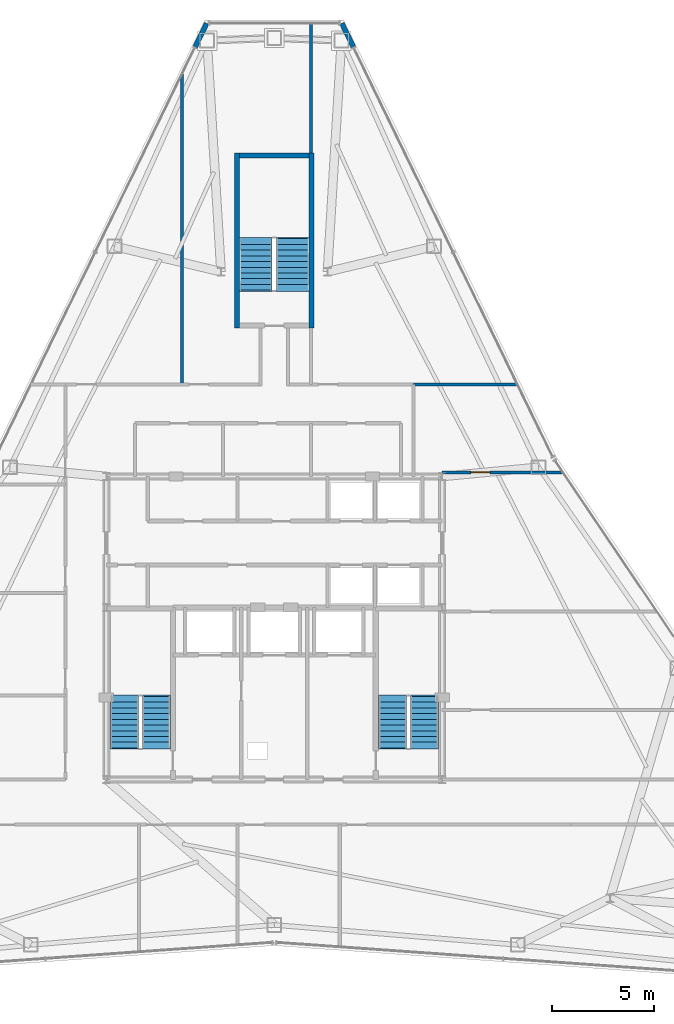
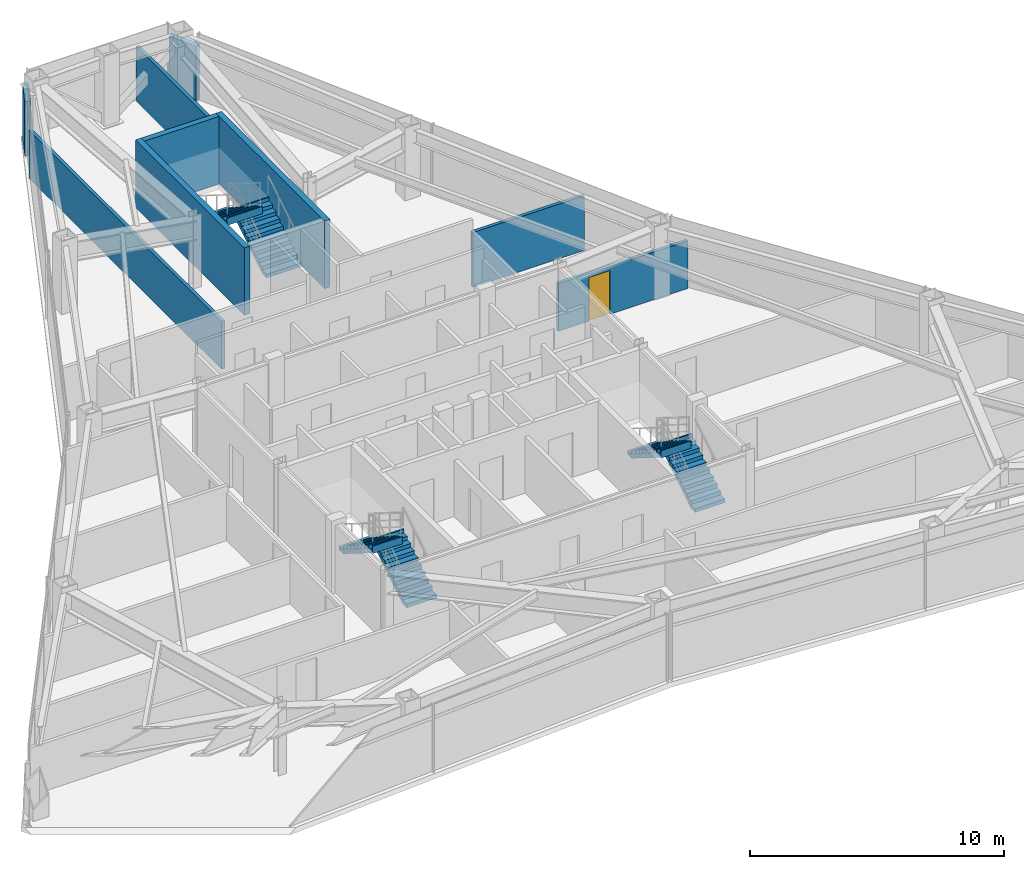
# One storey, part 11 of 12: 9 walls, 6 stair flights, 1 door, 1 opening, 3 elements without a shape of their own.
"""IFC4 building model written with IfcOpenShell, lengths in metres."""

from ifc_helpers import new_model, si_unit, direction, frame, frame_2d, origin, place, context, subcontext, project, spatial, polyline, rectangle, outline, extrude, material, layer, layer_set, type_object, element, fill, aggregate, save


model = new_model("IFC4")

# Units and contexts
model_context = context("Model", 3, precision=1e-05, world=origin(), true_north=direction((0.0, 1.0)))
body_context = subcontext(model_context, "Body", "Model", "MODEL_VIEW")
ifc_project = project(units=[si_unit("LENGTHUNIT", "METRE"), si_unit("AREAUNIT", "SQUARE_METRE"), si_unit("VOLUMEUNIT", "CUBIC_METRE"), si_unit("PLANEANGLEUNIT", "RADIAN"), si_unit("MASSUNIT", "GRAM", prefix="KILO")], contexts=[model_context])

# Site, building, storey
site_placement = place(None, origin())
site = spatial("IfcSite", under=ifc_project, at=site_placement, CompositionType="ELEMENT")
building_placement = place(site_placement, origin())
building = spatial("IfcBuilding", under=site, at=building_placement, Name="Varakhsha Concourse Tower", CompositionType="ELEMENT")
storey_placement = place(building_placement, frame((0.0, 0.0, 208.39990234375)))
storey = spatial("IfcBuildingStorey", under=building, at=storey_placement, Name="L59", CompositionType="ELEMENT", Elevation=208.39990234375)

# Walls
ifc_material_1 = material(Name="Concrete fc 45 MPa", Category="concrete")
ifc_layer_1 = layer(ifc_material_1, 0.239990234375, Name="WL-EXT-CRN-240")
ifc_layer_set_1 = layer_set([ifc_layer_1], Name="Concrete fc 45 MPa")
wall_type_1 = type_object("IfcWallType", Name="WL-EXT-CRN-240", PredefinedType="SHEAR", material=ifc_layer_set_1)
for number, where, z_axis, x_axis, name in (
    (1, (36.7001953125, 53.337890625, 0.0), (0.0, 0.0, 1.0), (-0.43755686859, -0.899190739915, 0.0), "L59 Wind-Corner Shoulder Wall F2"),
    (2, (43.86328125, 52.179931640625, 0.0), (0.0, 0.0, 1.0), (-0.43755686859, 0.899190739915, 0.0), "L59 Wind-Corner Shoulder Wall F9"),
):
    element("IfcWall", number, at=place(storey_placement, frame(where, z_axis=z_axis, x_axis=x_axis)), inside=storey, type_object=wall_type_1, Name=name, PredefinedType="SHEAR", context=body_context, shape_type="SweptSolid", body=[
        extrude(rectangle(XDim=1.287841796875, YDim=0.239990234375, at=frame_2d((0.64404296875, 0.0))), origin(), (0.0, 0.0, 1.0), 2.623046875),
    ])
ifc_material_2 = material(Name="Fire-Rated Type X Gypsum Partition Assembly", Category="gypsum")
ifc_layer_2 = layer(ifc_material_2, 0.14990234375, Name="WL-PART-150")
ifc_layer_set_2 = layer_set([ifc_layer_2], Name="Fire-Rated Type X Gypsum Partition Assembly")
wall_type_2 = type_object("IfcWallType", Name="WL-PART-150", PredefinedType="PARTITIONING", material=ifc_layer_set_2)
wall_1_placement = place(storey_placement, frame((46.800048828125, 35.699951171875, 0.0), z_axis=(0.0, 0.0, 1.0), x_axis=(1.0, 0.0, 0.0)))
element("IfcWall", 3, at=wall_1_placement, inside=storey, type_object=wall_type_2, Name="L59 Wall ODIV-EBN-L59", PredefinedType="PARTITIONING", context=body_context, shape_type="SweptSolid", body=[
    extrude(rectangle(XDim=5.07568359375, YDim=0.14990234375, at=frame_2d((2.537841796875, 0.0))), origin(), (0.0, 0.0, 1.0), 2.628173828125),
])

# Wall, opening, door
wall_2_placement = place(storey_placement, frame((48.199951171875, 31.39990234375, 0.0), z_axis=(0.0, 0.0, 1.0), x_axis=(1.0, 0.0, 0.0)))
wall_2 = element("IfcWall", 4, at=wall_2_placement, inside=storey, type_object=wall_type_2, Name="L59 Wall ODIV-E3-L59", PredefinedType="PARTITIONING", context=body_context, shape_type="SweptSolid", body=[
    extrude(rectangle(XDim=5.895751953125, YDim=0.14990234375, at=frame_2d((2.94775390625, 0.0))), origin(), (0.0, 0.0, 1.0), 2.2919921875),
])
opening_placement = place(wall_2_placement, frame((1.39990234375, 0.0, 0.0)))
opening = element("IfcOpeningElement", 5, at=opening_placement, cuts=wall_2, Name="Opening DF-05", PredefinedType="OPENING", context=body_context, shape_type="SweptSolid", body=[
    extrude(rectangle(XDim=0.949951171875, YDim=2.10009765625, at=frame_2d((0.47509765625, 1.050048828125))), frame((0.0, 0.0849609375, 0.0), z_axis=(0.0, -1.0, 0.0), x_axis=(1.0, 0.0, 0.0)), (0.0, 0.0, 1.0), 0.169921875),
])
ifc_material_3 = material(Name="Hollow Galvanised Steel Fire Door Assembly", Category="steel")
door_type = type_object("IfcDoorType", Name="DR-FD60-950", OperationType="NOTDEFINED", PredefinedType="DOOR", material=ifc_material_3)
door_placement = place(opening_placement, origin())
door = element("IfcDoor", 6, at=door_placement, inside=storey, type_object=door_type, Name="L59 East Suite Interconnect Door 3", OperationType="SINGLE_SWING_LEFT", OverallHeight=2.10009765625, OverallWidth=0.949951171875, PredefinedType="DOOR", context=body_context, shape_type="SweptSolid", body=[
    extrude(rectangle(XDim=0.949951171875, YDim=2.10009765625, at=frame_2d((0.47509765625, 1.050048828125))), frame((0.0, 0.02490234375, 0.0), z_axis=(0.0, -1.0, 0.0), x_axis=(1.0, 0.0, 0.0)), (0.0, 0.0, 1.0), 0.050048828125),
])
fill(opening, door)

# Walls
wall_3_placement = place(storey_placement, frame((35.5, 35.699951171875, 0.0), z_axis=(0.0, 0.0, 1.0), x_axis=(0.0, 1.0, 0.0)))
element("IfcWall", 7, at=wall_3_placement, inside=storey, type_object=wall_type_2, Name="L59 Wall ODIV-N1-L59", PredefinedType="PARTITIONING", context=body_context, shape_type="SweptSolid", body=[
    extrude(rectangle(XDim=15.15966796875, YDim=0.14990234375, at=frame_2d((7.579833984375, 0.0))), origin(), (0.0, 0.0, 1.0), 2.2919921875),
])
wall_4_placement = place(storey_placement, frame((41.800048828125, 47.0, 0.0), z_axis=(0.0, 0.0, 1.0), x_axis=(0.0, 1.0, 0.0)))
element("IfcWall", 8, at=wall_4_placement, inside=storey, type_object=wall_type_2, Name="L59 Wall ODIV-N2-L59-B", PredefinedType="PARTITIONING", context=body_context, shape_type="SweptSolid", body=[
    extrude(rectangle(XDim=6.332763671875, YDim=0.14990234375, at=frame_2d((3.16650390625, 0.0))), origin(), (0.0, 0.0, 1.0), 2.628173828125),
])
ifc_layer_3 = layer(ifc_material_1, 0.25, Name="WL-STAIR-250")
ifc_layer_set_3 = layer_set([ifc_layer_3], Name="Concrete fc 45 MPa")
wall_type_3 = type_object("IfcWallType", Name="WL-STAIR-250", PredefinedType="SHEAR", material=ifc_layer_set_3)
for number, where, z_axis, x_axis, name in (
    (9, (38.175048828125, 38.449951171875, 0.0), (0.0, 0.0, 1.0), (0.0, 1.0, 0.0), "L59 Wall SWALL-ST5-W-L59"),
    (10, (41.824951171875, 38.449951171875, 0.0), (0.0, 0.0, 1.0), (0.0, 1.0, 0.0), "L59 Wall SWALL-ST5-E-L59"),
):
    element("IfcWall", number, at=place(storey_placement, frame(where, z_axis=z_axis, x_axis=x_axis)), inside=storey, type_object=wall_type_3, Name=name, PredefinedType="SHEAR", context=body_context, shape_type="SweptSolid", body=[
        extrude(rectangle(XDim=8.550048828125, YDim=0.25, at=frame_2d((4.27490234375, 0.0))), origin(), (0.0, 0.0, 1.0), 3.25),
    ])
wall_5_placement = place(storey_placement, frame((38.300048828125, 46.875, 0.0), z_axis=(0.0, 0.0, 1.0), x_axis=(1.0, 0.0, 0.0)))
element("IfcWall", 11, at=wall_5_placement, inside=storey, type_object=wall_type_3, Name="L59 Wall SWALL-ST5-N-L59", PredefinedType="SHEAR", context=body_context, shape_type="SweptSolid", body=[
    extrude(rectangle(XDim=3.39990234375, YDim=0.25, at=frame_2d((1.699951171875, 0.0))), origin(), (0.0, 0.0, 1.0), 3.25),
])

# Stair, stair flights
stair_type_1 = type_object("IfcStairType", Name="ST-DOGLEG-1360", PredefinedType="HALF_TURN_STAIR", material=ifc_material_1)
stair_1_placement = place(storey_placement, origin())
stair_1 = element("IfcStair", 12, at=stair_1_placement, inside=storey, type_object=stair_type_1, Name="L59 Protected Exit Stair ST1", PredefinedType="HALF_TURN_STAIR")
stair_flight_type_1 = type_object("IfcStairFlightType", Name="STF-1360-R1750", PredefinedType="STRAIGHT", material=ifc_material_1)
stair_flight_1_placement = place(storey_placement, frame((34.239990234375, 17.93994140625, 0.0), z_axis=(0.0, 0.0, 1.0), x_axis=(0.0, 1.0, 0.0)))
stair_flight_1 = element("IfcStairFlight", 13, at=stair_flight_1_placement, type_object=stair_flight_type_1, Name="ST1 flight 1", NumberOfRisers=10, NumberOfTreads=9, PredefinedType="STRAIGHT", RiserHeight=0.175, TreadLength=0.28, context=body_context, shape_type="SweptSolid", body=[
    extrude(outline(polyline([(-0.06005859375, 0.0), (-0.06005859375, 0.175048828125), (0.0, 0.175048828125), (0.280029296875, 0.175048828125), (0.280029296875, 0.35009765625), (0.56005859375, 0.35009765625), (0.56005859375, 0.52490234375), (0.840087890625, 0.52490234375), (0.840087890625, 0.699951171875), (1.1201171875, 0.699951171875), (1.1201171875, 0.875), (1.39990234375, 0.875), (1.39990234375, 1.050048828125), (1.679931640625, 1.050048828125), (1.679931640625, 1.22509765625), (1.9599609375, 1.22509765625), (1.9599609375, 1.39990234375), (2.239990234375, 1.39990234375), (2.239990234375, 1.574951171875), (2.52001953125, 1.574951171875), (2.52001953125, 1.75), (2.580078125, 1.75), (2.580078125, 1.398193359375), (2.52001953125, 1.398193359375), (0.28271484375, 0.0), (-0.06005859375, 0.0)])), frame((0.0, 0.68017578125, 0.0), z_axis=(0.0, -1.0, 0.0), x_axis=(1.0, 0.0, 0.0)), (0.0, 0.0, 1.0), 1.360107421875),
])
stair_flight_2_placement = place(storey_placement, frame((32.679931640625, 20.4599609375, 1.75), z_axis=(0.0, 0.0, 1.0), x_axis=(0.0, -1.0, 0.0)))
stair_flight_2 = element("IfcStairFlight", 14, at=stair_flight_2_placement, type_object=stair_flight_type_1, Name="ST1 flight 2", NumberOfRisers=10, NumberOfTreads=9, PredefinedType="STRAIGHT", RiserHeight=0.175, TreadLength=0.28, context=body_context, shape_type="SweptSolid", body=[
    extrude(outline(polyline([(-0.06005859375, 0.0), (-0.06005859375, 0.175048828125), (0.0, 0.175048828125), (0.280029296875, 0.175048828125), (0.280029296875, 0.35009765625), (0.56005859375, 0.35009765625), (0.56005859375, 0.52490234375), (0.840087890625, 0.52490234375), (0.840087890625, 0.699951171875), (1.1201171875, 0.699951171875), (1.1201171875, 0.875), (1.39990234375, 0.875), (1.39990234375, 1.050048828125), (1.679931640625, 1.050048828125), (1.679931640625, 1.22509765625), (1.9599609375, 1.22509765625), (1.9599609375, 1.39990234375), (2.239990234375, 1.39990234375), (2.239990234375, 1.574951171875), (2.52001953125, 1.574951171875), (2.52001953125, 1.75), (2.580078125, 1.75), (2.580078125, 1.398193359375), (2.52001953125, 1.398193359375), (0.28271484375, 0.0), (-0.06005859375, 0.0)])), frame((0.0, 0.68017578125, 0.0), z_axis=(0.0, -1.0, 0.0), x_axis=(1.0, 0.0, 0.0)), (0.0, 0.0, 1.0), 1.360107421875),
])
aggregate(stair_1, [stair_flight_1, stair_flight_2])

stair_2_placement = place(storey_placement, origin())
stair_2 = element("IfcStair", 15, at=stair_2_placement, inside=storey, type_object=stair_type_1, Name="L59 Protected Exit Stair ST2", PredefinedType="HALF_TURN_STAIR")
stair_flight_3_placement = place(storey_placement, frame((47.340087890625, 17.93994140625, 0.0), z_axis=(0.0, 0.0, 1.0), x_axis=(0.0, 1.0, 0.0)))
stair_flight_3 = element("IfcStairFlight", 16, at=stair_flight_3_placement, type_object=stair_flight_type_1, Name="ST2 flight 1", NumberOfRisers=10, NumberOfTreads=9, PredefinedType="STRAIGHT", RiserHeight=0.175, TreadLength=0.28, context=body_context, shape_type="SweptSolid", body=[
    extrude(outline(polyline([(-0.06005859375, 0.0), (-0.06005859375, 0.175048828125), (0.0, 0.175048828125), (0.280029296875, 0.175048828125), (0.280029296875, 0.35009765625), (0.56005859375, 0.35009765625), (0.56005859375, 0.52490234375), (0.840087890625, 0.52490234375), (0.840087890625, 0.699951171875), (1.1201171875, 0.699951171875), (1.1201171875, 0.875), (1.39990234375, 0.875), (1.39990234375, 1.050048828125), (1.679931640625, 1.050048828125), (1.679931640625, 1.22509765625), (1.9599609375, 1.22509765625), (1.9599609375, 1.39990234375), (2.239990234375, 1.39990234375), (2.239990234375, 1.574951171875), (2.52001953125, 1.574951171875), (2.52001953125, 1.75), (2.580078125, 1.75), (2.580078125, 1.398193359375), (2.52001953125, 1.398193359375), (0.28271484375, 0.0), (-0.06005859375, 0.0)])), frame((0.0, 0.68017578125, 0.0), z_axis=(0.0, -1.0, 0.0), x_axis=(1.0, 0.0, 0.0)), (0.0, 0.0, 1.0), 1.360107421875),
])
stair_flight_4_placement = place(storey_placement, frame((45.780029296875, 20.4599609375, 1.75), z_axis=(0.0, 0.0, 1.0), x_axis=(0.0, -1.0, 0.0)))
stair_flight_4 = element("IfcStairFlight", 17, at=stair_flight_4_placement, type_object=stair_flight_type_1, Name="ST2 flight 2", NumberOfRisers=10, NumberOfTreads=9, PredefinedType="STRAIGHT", RiserHeight=0.175, TreadLength=0.28, context=body_context, shape_type="SweptSolid", body=[
    extrude(outline(polyline([(-0.06005859375, 0.0), (-0.06005859375, 0.175048828125), (0.0, 0.175048828125), (0.280029296875, 0.175048828125), (0.280029296875, 0.35009765625), (0.56005859375, 0.35009765625), (0.56005859375, 0.52490234375), (0.840087890625, 0.52490234375), (0.840087890625, 0.699951171875), (1.1201171875, 0.699951171875), (1.1201171875, 0.875), (1.39990234375, 0.875), (1.39990234375, 1.050048828125), (1.679931640625, 1.050048828125), (1.679931640625, 1.22509765625), (1.9599609375, 1.22509765625), (1.9599609375, 1.39990234375), (2.239990234375, 1.39990234375), (2.239990234375, 1.574951171875), (2.52001953125, 1.574951171875), (2.52001953125, 1.75), (2.580078125, 1.75), (2.580078125, 1.398193359375), (2.52001953125, 1.398193359375), (0.28271484375, 0.0), (-0.06005859375, 0.0)])), frame((0.0, 0.68017578125, 0.0), z_axis=(0.0, -1.0, 0.0), x_axis=(1.0, 0.0, 0.0)), (0.0, 0.0, 1.0), 1.360107421875),
])
aggregate(stair_2, [stair_flight_3, stair_flight_4])

stair_type_2 = type_object("IfcStairType", Name="ST-DOGLEG-1600", PredefinedType="HALF_TURN_STAIR", material=ifc_material_1)
stair_3_placement = place(storey_placement, origin())
stair_3 = element("IfcStair", 18, at=stair_3_placement, inside=storey, type_object=stair_type_2, Name="L59 Protected Exit Stair ST5", PredefinedType="HALF_TURN_STAIR")
stair_flight_type_2 = type_object("IfcStairFlightType", Name="STF-1600-R1750", PredefinedType="STRAIGHT", material=ifc_material_1)
stair_flight_5_placement = place(storey_placement, frame((40.89990234375, 40.300048828125, 0.0), z_axis=(0.0, 0.0, 1.0), x_axis=(0.0, 1.0, 0.0)))
stair_flight_5 = element("IfcStairFlight", 19, at=stair_flight_5_placement, type_object=stair_flight_type_2, Name="ST5 flight 1", NumberOfRisers=10, NumberOfTreads=9, PredefinedType="STRAIGHT", RiserHeight=0.175, TreadLength=0.28, context=body_context, shape_type="SweptSolid", body=[
    extrude(outline(polyline([(-0.06005859375, 0.0), (-0.06005859375, 0.175048828125), (0.0, 0.175048828125), (0.280029296875, 0.175048828125), (0.280029296875, 0.35009765625), (0.56005859375, 0.35009765625), (0.56005859375, 0.52490234375), (0.840087890625, 0.52490234375), (0.840087890625, 0.699951171875), (1.1201171875, 0.699951171875), (1.1201171875, 0.875), (1.39990234375, 0.875), (1.39990234375, 1.050048828125), (1.679931640625, 1.050048828125), (1.679931640625, 1.22509765625), (1.9599609375, 1.22509765625), (1.9599609375, 1.39990234375), (2.239990234375, 1.39990234375), (2.239990234375, 1.574951171875), (2.52001953125, 1.574951171875), (2.52001953125, 1.75), (2.580078125, 1.75), (2.580078125, 1.398193359375), (2.52001953125, 1.398193359375), (0.28271484375, 0.0), (-0.06005859375, 0.0)])), frame((0.0, 0.800048828125, 0.0), z_axis=(0.0, -1.0, 0.0), x_axis=(1.0, 0.0, 0.0)), (0.0, 0.0, 1.0), 1.60009765625),
])
stair_flight_6_placement = place(storey_placement, frame((39.10009765625, 42.820068359375, 1.75), z_axis=(0.0, 0.0, 1.0), x_axis=(0.0, -1.0, 0.0)))
stair_flight_6 = element("IfcStairFlight", 20, at=stair_flight_6_placement, type_object=stair_flight_type_2, Name="ST5 flight 2", NumberOfRisers=10, NumberOfTreads=9, PredefinedType="STRAIGHT", RiserHeight=0.175, TreadLength=0.28, context=body_context, shape_type="SweptSolid", body=[
    extrude(outline(polyline([(-0.06005859375, 0.0), (-0.06005859375, 0.175048828125), (0.0, 0.175048828125), (0.280029296875, 0.175048828125), (0.280029296875, 0.35009765625), (0.56005859375, 0.35009765625), (0.56005859375, 0.52490234375), (0.840087890625, 0.52490234375), (0.840087890625, 0.699951171875), (1.1201171875, 0.699951171875), (1.1201171875, 0.875), (1.39990234375, 0.875), (1.39990234375, 1.050048828125), (1.679931640625, 1.050048828125), (1.679931640625, 1.22509765625), (1.9599609375, 1.22509765625), (1.9599609375, 1.39990234375), (2.239990234375, 1.39990234375), (2.239990234375, 1.574951171875), (2.52001953125, 1.574951171875), (2.52001953125, 1.75), (2.580078125, 1.75), (2.580078125, 1.398193359375), (2.52001953125, 1.398193359375), (0.28271484375, 0.0), (-0.06005859375, 0.0)])), frame((0.0, 0.800048828125, 0.0), z_axis=(0.0, -1.0, 0.0), x_axis=(1.0, 0.0, 0.0)), (0.0, 0.0, 1.0), 1.60009765625),
])
aggregate(stair_3, [stair_flight_5, stair_flight_6])

save(model, "model.ifc")
